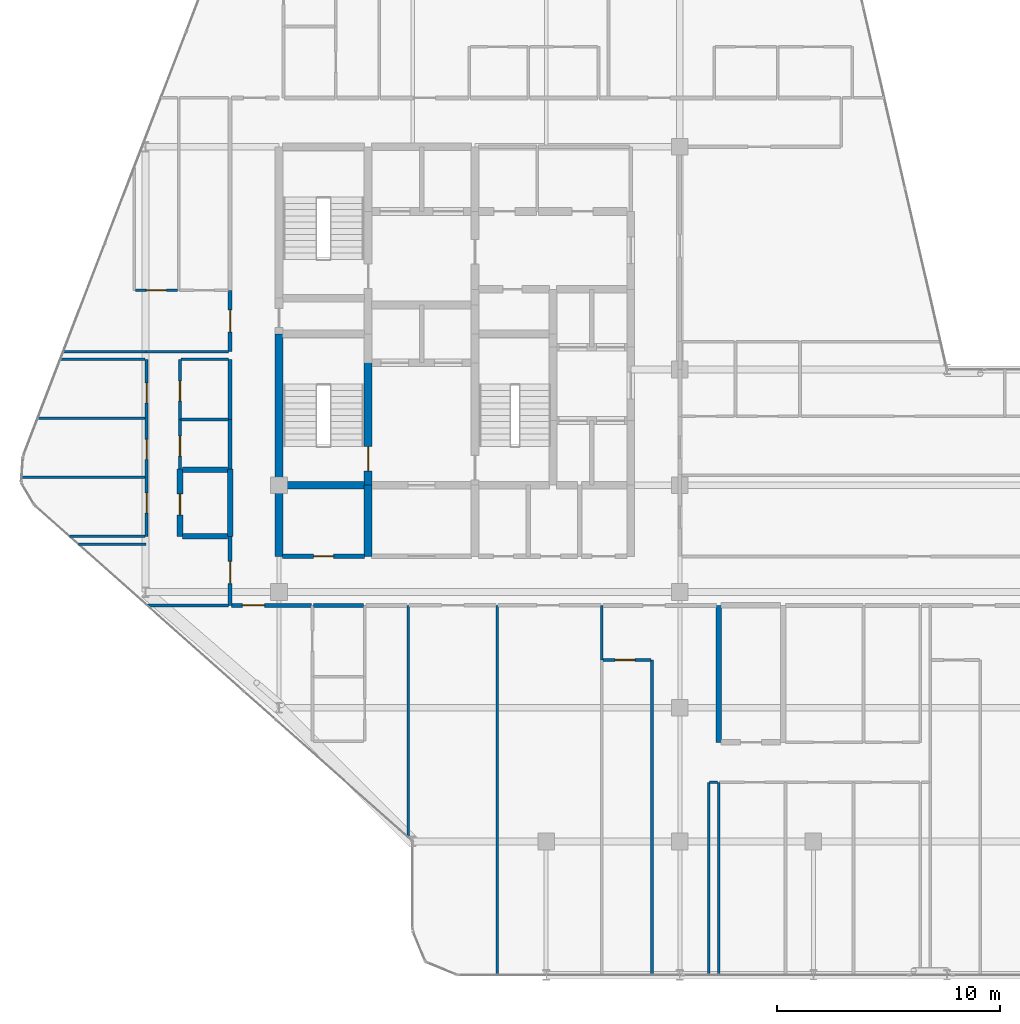
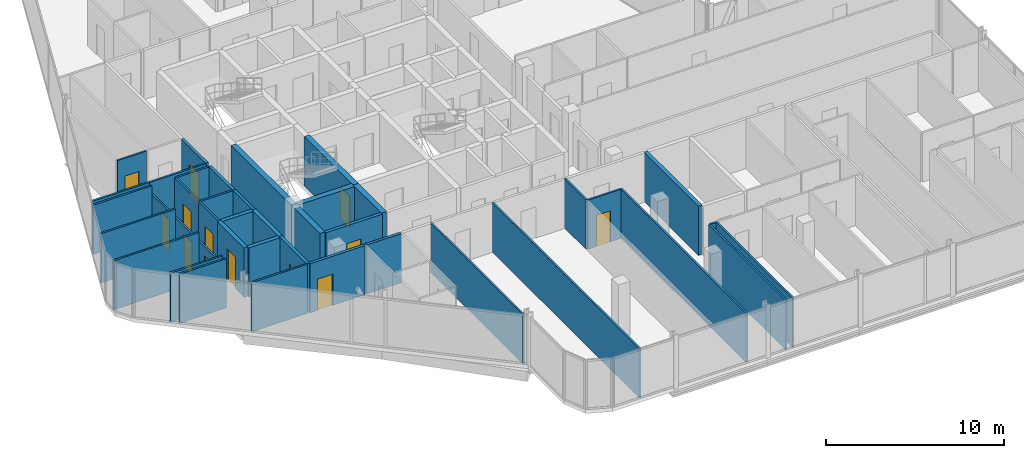
# One storey, part 23 of 29: 39 walls, 13 doors, 13 openings.
"""IFC4 building model written with IfcOpenShell, lengths in metres."""

from ifc_helpers import new_model, si_unit, direction, frame, frame_2d, origin, place, context, subcontext, project, spatial, rectangle, extrude, material, layer, layer_set, type_object, element, fill, save


model = new_model("IFC4")

# Units and contexts
model_context = context("Model", 3, precision=1e-05, world=origin(), true_north=direction((0.0, 1.0)))
body_context = subcontext(model_context, "Body", "Model", "MODEL_VIEW")
ifc_project = project(units=[si_unit("LENGTHUNIT", "METRE"), si_unit("AREAUNIT", "SQUARE_METRE"), si_unit("VOLUMEUNIT", "CUBIC_METRE"), si_unit("PLANEANGLEUNIT", "RADIAN"), si_unit("MASSUNIT", "GRAM", prefix="KILO")], contexts=[model_context])

# Site, building, storey
site_placement = place(None, origin())
site = spatial("IfcSite", under=ifc_project, at=site_placement, CompositionType="ELEMENT")
building_placement = place(site_placement, origin())
building = spatial("IfcBuilding", under=site, at=building_placement, Name="Keshet Zoharim Tower", CompositionType="ELEMENT")
storey_placement = place(building_placement, frame((0.0, 0.0, 214.300048828125)))
storey = spatial("IfcBuildingStorey", under=building, at=storey_placement, Name="L53", CompositionType="ELEMENT", Elevation=214.300048828125)

# Walls
ifc_material_1 = material(Name="Concrete C60/75", Category="concrete")
ifc_layer_1 = layer(ifc_material_1, 0.35009765625)
ifc_layer_set_1 = layer_set([ifc_layer_1], Name="Concrete C60/75")
wall_type_1 = type_object("IfcWallType", Name="WL-CORE-350", PredefinedType="SHEAR", material=ifc_layer_set_1)
wall_1_placement = place(storey_placement, frame((15.0, 19.5, 0.0), z_axis=(0.0, 0.0, 1.0), x_axis=(0.0, 1.0, 0.0)))
element("IfcWall", 1, at=wall_1_placement, inside=storey, type_object=wall_type_1, Name="L53 Core Shear Wall 013", PredefinedType="SHEAR", context=body_context, shape_type="SweptSolid", body=[
    extrude(rectangle(XDim=3.199951171875, YDim=0.35009765625, at=frame_2d((1.60009765625, 0.0))), origin(), (0.0, 0.0, 1.0), 3.3798828125),
])
wall_2_placement = place(storey_placement, frame((15.0, 22.699951171875, 0.0), z_axis=(0.0, 0.0, 1.0), x_axis=(0.0, 1.0, 0.0)))
element("IfcWall", 2, at=wall_2_placement, inside=storey, type_object=wall_type_1, Name="L53 Core Shear Wall 014", PredefinedType="SHEAR", context=body_context, shape_type="SweptSolid", body=[
    extrude(rectangle(XDim=6.800048828125, YDim=0.35009765625, at=frame_2d((3.39990234375, 0.0))), origin(), (0.0, 0.0, 1.0), 3.3798828125),
])
wall_3_placement = place(storey_placement, frame((19.0, 19.5, 0.0), z_axis=(0.0, 0.0, 1.0), x_axis=(0.0, 1.0, 0.0)))
element("IfcWall", 3, at=wall_3_placement, inside=storey, type_object=wall_type_1, Name="L53 Core Shear Wall 025", PredefinedType="SHEAR", context=body_context, shape_type="SweptSolid", body=[
    extrude(rectangle(XDim=3.199951171875, YDim=0.35009765625, at=frame_2d((1.60009765625, 0.0))), origin(), (0.0, 0.0, 1.0), 3.3798828125),
])

# Wall, opening, door
wall_4_placement = place(storey_placement, frame((19.0, 22.699951171875, 0.0), z_axis=(0.0, 0.0, 1.0), x_axis=(0.0, 1.0, 0.0)))
wall_4 = element("IfcWall", 4, at=wall_4_placement, inside=storey, type_object=wall_type_1, Name="L53 Core Shear Wall 026", PredefinedType="SHEAR", context=body_context, shape_type="SweptSolid", body=[
    extrude(rectangle(XDim=5.5, YDim=0.35009765625, at=frame_2d((2.75, 0.0))), origin(), (0.0, 0.0, 1.0), 3.3798828125),
])
opening_1_placement = place(wall_4_placement, frame((0.631103515625, 0.0, 0.0)))
opening_1 = element("IfcOpeningElement", 5, at=opening_1_placement, cuts=wall_4, Name="Opening D-F611", PredefinedType="OPENING", context=body_context, shape_type="SweptSolid", body=[
    extrude(rectangle(XDim=1.10009765625, YDim=2.14990234375, at=frame_2d((0.550048828125, 1.074951171875))), frame((0.0, 0.18505859375, 0.0), z_axis=(0.0, -1.0, 0.0), x_axis=(1.0, 0.0, 0.0)), (0.0, 0.0, 1.0), 0.3701171875),
])
ifc_material_2 = material(Name="Hardwood Timber", Category="wood")
door_type_1 = type_object("IfcDoorType", Name="DR-FD60-110", OperationType="NOTDEFINED", PredefinedType="DOOR", material=ifc_material_2)
door_1_placement = place(opening_1_placement, origin())
door_1 = element("IfcDoor", 6, at=door_1_placement, inside=storey, type_object=door_type_1, Name="L53 Exit Stair ST-01 Fire Door", OperationType="SINGLE_SWING_LEFT", OverallHeight=2.14990234375, OverallWidth=1.10009765625, PredefinedType="DOOR", context=body_context, shape_type="SweptSolid", body=[
    extrude(rectangle(XDim=1.10009765625, YDim=2.14990234375, at=frame_2d((0.550048828125, 1.074951171875))), frame((0.0, 0.02490234375, 0.0), z_axis=(0.0, -1.0, 0.0), x_axis=(1.0, 0.0, 0.0)), (0.0, 0.0, 1.0), 0.050048828125),
])
fill(opening_1, door_1)

# Wall
wall_5_placement = place(storey_placement, frame((15.159912109375, 22.699951171875, 0.0), z_axis=(0.0, 0.0, 1.0), x_axis=(1.0, 0.0, 0.0)))
element("IfcWall", 7, at=wall_5_placement, inside=storey, type_object=wall_type_1, Name="L53 Core Shear Wall 140", PredefinedType="SHEAR", context=body_context, shape_type="SweptSolid", body=[
    extrude(rectangle(XDim=3.68017578125, YDim=0.35009765625, at=frame_2d((1.840087890625, 0.0))), origin(), (0.0, 0.0, 1.0), 3.3798828125),
])

# Wall, opening, door
ifc_material_3 = material(Name="Gypsum Plasterboard", Category="gypsum")
ifc_layer_2 = layer(ifc_material_3, 0.179931640625)
ifc_layer_set_2 = layer_set([ifc_layer_2], Name="Gypsum Plasterboard")
wall_type_2 = type_object("IfcWallType", Name="WL-CORR-180", PredefinedType="STANDARD", material=ifc_layer_set_2)
wall_6_placement = place(storey_placement, frame((12.800048828125, 17.300048828125, 0.0), z_axis=(0.0, 0.0, 1.0), x_axis=(0.0, 1.0, 0.0)))
wall_6 = element("IfcWall", 8, at=wall_6_placement, inside=storey, type_object=wall_type_2, Name="L53 Interior Wall 007", PredefinedType="STANDARD", context=body_context, shape_type="SweptSolid", body=[
    extrude(rectangle(XDim=3.099853515625, YDim=0.179931640625, at=frame_2d((1.5498046875, 0.0))), origin(), (0.0, 0.0, 1.0), 3.3798828125),
])
opening_2_placement = place(wall_6_placement, frame((0.97802734375, 0.0, 0.0)))
opening_2 = element("IfcOpeningElement", 9, at=opening_2_placement, cuts=wall_6, Name="Opening D-F310", PredefinedType="OPENING", context=body_context, shape_type="SweptSolid", body=[
    extrude(rectangle(XDim=1.0, YDim=2.14990234375, at=frame_2d((0.5, 1.074951171875))), frame((0.0, 0.10009765625, 0.0), z_axis=(0.0, -1.0, 0.0), x_axis=(1.0, 0.0, 0.0)), (0.0, 0.0, 1.0), 0.199951171875),
])
door_type_2 = type_object("IfcDoorType", Name="DR-FD30-100", OperationType="NOTDEFINED", PredefinedType="DOOR", material=ifc_material_2)
door_2_placement = place(opening_2_placement, origin())
door_2 = element("IfcDoor", 10, at=door_2_placement, inside=storey, type_object=door_type_2, Name="Apartment 5307 Entrance Door", OperationType="SINGLE_SWING_RIGHT", OverallHeight=2.14990234375, OverallWidth=1.0, PredefinedType="DOOR", context=body_context, shape_type="SweptSolid", body=[
    extrude(rectangle(XDim=1.0, YDim=2.14990234375, at=frame_2d((0.5, 1.074951171875))), frame((0.0, 0.02490234375, 0.0), z_axis=(0.0, -1.0, 0.0), x_axis=(1.0, 0.0, 0.0)), (0.0, 0.0, 1.0), 0.050048828125),
])
fill(opening_2, door_2)

# Walls
wall_7_placement = place(storey_placement, frame((12.800048828125, 23.4208984375, 0.0), z_axis=(0.0, 0.0, 1.0), x_axis=(0.0, 1.0, 0.0)))
element("IfcWall", 11, at=wall_7_placement, inside=storey, type_object=wall_type_2, Name="L53 Interior Wall 009", PredefinedType="STANDARD", context=body_context, shape_type="SweptSolid", body=[
    extrude(rectangle(XDim=2.22607421875, YDim=0.179931640625, at=frame_2d((1.113037109375, 0.0))), origin(), (0.0, 0.0, 1.0), 3.3798828125),
])
wall_8_placement = place(storey_placement, frame((12.800048828125, 25.64697265625, 0.0), z_axis=(0.0, 0.0, 1.0), x_axis=(0.0, 1.0, 0.0)))
element("IfcWall", 12, at=wall_8_placement, inside=storey, type_object=wall_type_2, Name="L53 Interior Wall 010", PredefinedType="STANDARD", context=body_context, shape_type="SweptSolid", body=[
    extrude(rectangle(XDim=2.703125, YDim=0.179931640625, at=frame_2d((1.3515625, 0.0))), origin(), (0.0, 0.0, 1.0), 3.3798828125),
])

# Wall, opening, door
wall_9_placement = place(storey_placement, frame((12.800048828125, 28.699951171875, 0.0), z_axis=(0.0, 0.0, 1.0), x_axis=(0.0, 1.0, 0.0)))
wall_9 = element("IfcWall", 13, at=wall_9_placement, inside=storey, type_object=wall_type_2, Name="L53 Interior Wall 011", PredefinedType="STANDARD", context=body_context, shape_type="SweptSolid", body=[
    extrude(rectangle(XDim=2.75, YDim=0.179931640625, at=frame_2d((1.375, 0.0))), origin(), (0.0, 0.0, 1.0), 3.3798828125),
])
opening_3_placement = place(wall_9_placement, frame((0.875, 0.0, 0.0)))
opening_3 = element("IfcOpeningElement", 14, at=opening_3_placement, cuts=wall_9, Name="Opening D-F310", PredefinedType="OPENING", context=body_context, shape_type="SweptSolid", body=[
    extrude(rectangle(XDim=1.0, YDim=2.14990234375, at=frame_2d((0.5, 1.074951171875))), frame((0.0, 0.10009765625, 0.0), z_axis=(0.0, -1.0, 0.0), x_axis=(1.0, 0.0, 0.0)), (0.0, 0.0, 1.0), 0.199951171875),
])
door_3_placement = place(opening_3_placement, origin())
door_3 = element("IfcDoor", 15, at=door_3_placement, inside=storey, type_object=door_type_2, Name="Apartment 5308 Entrance Door", OperationType="SINGLE_SWING_LEFT", OverallHeight=2.14990234375, OverallWidth=1.0, PredefinedType="DOOR", context=body_context, shape_type="SweptSolid", body=[
    extrude(rectangle(XDim=1.0, YDim=2.14990234375, at=frame_2d((0.5, 1.074951171875))), frame((0.0, 0.02490234375, 0.0), z_axis=(0.0, -1.0, 0.0), x_axis=(1.0, 0.0, 0.0)), (0.0, 0.0, 1.0), 0.050048828125),
])
fill(opening_3, door_3)

wall_10_placement = place(storey_placement, frame((12.875, 17.300048828125, 0.0), z_axis=(0.0, 0.0, 1.0), x_axis=(1.0, 0.0, 0.0)))
wall_10 = element("IfcWall", 16, at=wall_10_placement, inside=storey, type_object=wall_type_2, Name="L53 Interior Wall 118", PredefinedType="STANDARD", context=body_context, shape_type="SweptSolid", body=[
    extrude(rectangle(XDim=3.580078125, YDim=0.179931640625, at=frame_2d((1.7900390625, 0.0))), origin(), (0.0, 0.0, 1.0), 3.3798828125),
])
opening_4_placement = place(wall_10_placement, frame((0.472900390625, 0.0, 0.0)))
opening_4 = element("IfcOpeningElement", 17, at=opening_4_placement, cuts=wall_10, Name="Opening D-F310", PredefinedType="OPENING", context=body_context, shape_type="SweptSolid", body=[
    extrude(rectangle(XDim=1.0, YDim=2.14990234375, at=frame_2d((0.5, 1.074951171875))), frame((0.0, 0.10009765625, 0.0), z_axis=(0.0, -1.0, 0.0), x_axis=(1.0, 0.0, 0.0)), (0.0, 0.0, 1.0), 0.199951171875),
])
door_4_placement = place(opening_4_placement, origin())
door_4 = element("IfcDoor", 18, at=door_4_placement, inside=storey, type_object=door_type_2, Name="Apartment 5301 Entrance Door", OperationType="SINGLE_SWING_LEFT", OverallHeight=2.14990234375, OverallWidth=1.0, PredefinedType="DOOR", context=body_context, shape_type="SweptSolid", body=[
    extrude(rectangle(XDim=1.0, YDim=2.14990234375, at=frame_2d((0.5, 1.074951171875))), frame((0.0, 0.02490234375, 0.0), z_axis=(0.0, -1.0, 0.0), x_axis=(1.0, 0.0, 0.0)), (0.0, 0.0, 1.0), 0.050048828125),
])
fill(opening_4, door_4)

# Wall
wall_11_placement = place(storey_placement, frame((16.544921875, 17.300048828125, 0.0), z_axis=(0.0, 0.0, 1.0), x_axis=(1.0, 0.0, 0.0)))
element("IfcWall", 19, at=wall_11_placement, inside=storey, type_object=wall_type_2, Name="L53 Interior Wall 119", PredefinedType="STANDARD", context=body_context, shape_type="SweptSolid", body=[
    extrude(rectangle(XDim=2.260009765625, YDim=0.179931640625, at=frame_2d((1.1298828125, 0.0))), origin(), (0.0, 0.0, 1.0), 3.3798828125),
])

# Wall, opening, door
ifc_material_4 = material(Name="Concrete C50/60", Category="concrete")
ifc_layer_3 = layer(ifc_material_4, 0.199951171875)
ifc_layer_set_3 = layer_set([ifc_layer_3], Name="Concrete C50/60")
wall_type_3 = type_object("IfcWallType", Name="WL-FIRE-200", PredefinedType="STANDARD", material=ifc_layer_set_3)
wall_12_placement = place(storey_placement, frame((15.159912109375, 19.5, 0.0), z_axis=(0.0, 0.0, 1.0), x_axis=(1.0, 0.0, 0.0)))
wall_12 = element("IfcWall", 20, at=wall_12_placement, inside=storey, type_object=wall_type_3, Name="L53 Interior Wall 132", PredefinedType="STANDARD", context=body_context, shape_type="SweptSolid", body=[
    extrude(rectangle(XDim=3.68017578125, YDim=0.199951171875, at=frame_2d((1.840087890625, 0.0))), origin(), (0.0, 0.0, 1.0), 3.3798828125),
])
opening_5_placement = place(wall_12_placement, frame((1.389892578125, 0.0, 0.0)))
opening_5 = element("IfcOpeningElement", 21, at=opening_5_placement, cuts=wall_12, Name="Opening D-F690", PredefinedType="OPENING", context=body_context, shape_type="SweptSolid", body=[
    extrude(rectangle(XDim=0.89990234375, YDim=2.14990234375, at=frame_2d((0.449951171875, 1.074951171875))), frame((0.0, 0.10986328125, 0.0), z_axis=(0.0, -1.0, 0.0), x_axis=(1.0, 0.0, 0.0)), (0.0, 0.0, 1.0), 0.219970703125),
])
door_type_3 = type_object("IfcDoorType", Name="DR-FD60-090", OperationType="NOTDEFINED", PredefinedType="DOOR", material=ifc_material_2)
door_5_placement = place(opening_5_placement, origin())
door_5 = element("IfcDoor", 22, at=door_5_placement, inside=storey, type_object=door_type_3, Name="L53 Pram Store Door", OperationType="SINGLE_SWING_RIGHT", OverallHeight=2.14990234375, OverallWidth=0.89990234375, PredefinedType="DOOR", context=body_context, shape_type="SweptSolid", body=[
    extrude(rectangle(XDim=0.89990234375, YDim=2.14990234375, at=frame_2d((0.449951171875, 1.074951171875))), frame((0.0, 0.02490234375, 0.0), z_axis=(0.0, -1.0, 0.0), x_axis=(1.0, 0.0, 0.0)), (0.0, 0.0, 1.0), 0.050048828125),
])
fill(opening_5, door_5)

ifc_layer_4 = layer(ifc_material_4, 0.25)
ifc_layer_set_4 = layer_set([ifc_layer_4], Name="Concrete C50/60")
wall_type_4 = type_object("IfcWallType", Name="WL-MAMAD-250", PredefinedType="STANDARD", material=ifc_layer_set_4)
wall_13_placement = place(storey_placement, frame((10.550048828125, 20.39990234375, 0.0), z_axis=(0.0, 0.0, 1.0), x_axis=(0.0, 1.0, 0.0)))
wall_13 = element("IfcWall", 23, at=wall_13_placement, inside=storey, type_object=wall_type_4, Name="L53 Interior Wall 004", PredefinedType="STANDARD", context=body_context, shape_type="SweptSolid", body=[
    extrude(rectangle(XDim=3.02099609375, YDim=0.25, at=frame_2d((1.510498046875, 0.0))), origin(), (0.0, 0.0, 1.0), 3.3798828125),
])
opening_6_placement = place(wall_13_placement, frame((0.964111328125, 0.0, 0.0)))
opening_6 = element("IfcOpeningElement", 24, at=opening_6_placement, cuts=wall_13, Name="Opening D-F695", PredefinedType="OPENING", context=body_context, shape_type="SweptSolid", body=[
    extrude(rectangle(XDim=0.949951171875, YDim=2.14990234375, at=frame_2d((0.47509765625, 1.074951171875))), frame((0.0, 0.135009765625, 0.0), z_axis=(0.0, -1.0, 0.0), x_axis=(1.0, 0.0, 0.0)), (0.0, 0.0, 1.0), 0.27001953125),
])
door_type_4 = type_object("IfcDoorType", Name="DR-FD60-095", OperationType="NOTDEFINED", PredefinedType="DOOR", material=ifc_material_2)
door_6_placement = place(opening_6_placement, origin())
door_6 = element("IfcDoor", 25, at=door_6_placement, inside=storey, type_object=door_type_4, Name="Apartment 5307 Study and Shelter Room Door", OperationType="SINGLE_SWING_LEFT", OverallHeight=2.14990234375, OverallWidth=0.949951171875, PredefinedType="DOOR", context=body_context, shape_type="SweptSolid", body=[
    extrude(rectangle(XDim=0.949951171875, YDim=2.14990234375, at=frame_2d((0.47509765625, 1.074951171875))), frame((0.0, 0.02490234375, 0.0), z_axis=(0.0, -1.0, 0.0), x_axis=(1.0, 0.0, 0.0)), (0.0, 0.0, 1.0), 0.050048828125),
])
fill(opening_6, door_6)

# Walls
wall_14_placement = place(storey_placement, frame((12.800048828125, 20.39990234375, 0.0), z_axis=(0.0, 0.0, 1.0), x_axis=(0.0, 1.0, 0.0)))
element("IfcWall", 26, at=wall_14_placement, inside=storey, type_object=wall_type_4, Name="L53 Interior Wall 008", PredefinedType="STANDARD", context=body_context, shape_type="SweptSolid", body=[
    extrude(rectangle(XDim=3.02099609375, YDim=0.25, at=frame_2d((1.510498046875, 0.0))), origin(), (0.0, 0.0, 1.0), 3.3798828125),
])
wall_15_placement = place(storey_placement, frame((34.75, 11.14990234375, 0.0), z_axis=(0.0, 0.0, 1.0), x_axis=(0.0, 1.0, 0.0)))
element("IfcWall", 27, at=wall_15_placement, inside=storey, type_object=wall_type_4, Name="L53 Interior Wall 077", PredefinedType="STANDARD", context=body_context, shape_type="SweptSolid", body=[
    extrude(rectangle(XDim=6.150146484375, YDim=0.25, at=frame_2d((3.0751953125, 0.0))), origin(), (0.0, 0.0, 1.0), 3.3798828125),
])
for number, where, z_axis, x_axis, name in (
    (28, (10.659912109375, 20.39990234375, 0.0), (0.0, 0.0, 1.0), (1.0, 0.0, 0.0), "L53 Interior Wall 139"),
    (29, (10.659912109375, 23.39990234375, 0.0), (0.0, 0.0, 1.0), (1.0, 0.0, 0.0), "L53 Interior Wall 147"),
):
    element("IfcWall", number, at=place(storey_placement, frame(where, z_axis=z_axis, x_axis=x_axis)), inside=storey, type_object=wall_type_4, Name=name, PredefinedType="STANDARD", context=body_context, shape_type="SweptSolid", body=[
        extrude(rectangle(XDim=2.030029296875, YDim=0.25, at=frame_2d((1.01513671875, 0.0))), origin(), (0.0, 0.0, 1.0), 3.3798828125),
    ])

# Wall, openings, doors
ifc_layer_5 = layer(ifc_material_3, 0.1201171875)
ifc_layer_set_5 = layer_set([ifc_layer_5], Name="Gypsum Plasterboard")
wall_type_5 = type_object("IfcWallType", Name="WL-PART-120", PredefinedType="PARTITIONING", material=ifc_layer_set_5)
wall_16_placement = place(storey_placement, frame((9.050048828125, 20.39990234375, 0.0), z_axis=(0.0, 0.0, 1.0), x_axis=(0.0, 1.0, 0.0)))
wall_16 = element("IfcWall", 30, at=wall_16_placement, inside=storey, type_object=wall_type_5, Name="L53 Interior Wall 002", PredefinedType="PARTITIONING", context=body_context, shape_type="SweptSolid", body=[
    extrude(rectangle(XDim=7.9501953125, YDim=0.1201171875, at=frame_2d((3.97509765625, 0.0))), origin(), (0.0, 0.0, 1.0), 2.780029296875),
])
opening_7_placement = place(wall_16_placement, frame((1.050048828125, 0.0, 0.0)))
opening_7 = element("IfcOpeningElement", 31, at=opening_7_placement, cuts=wall_16, Name="Opening D-IN90", PredefinedType="OPENING", context=body_context, shape_type="SweptSolid", body=[
    extrude(rectangle(XDim=0.89990234375, YDim=2.14990234375, at=frame_2d((0.449951171875, 1.074951171875))), frame((0.0, 0.070068359375, 0.0), z_axis=(0.0, -1.0, 0.0), x_axis=(1.0, 0.0, 0.0)), (0.0, 0.0, 1.0), 0.14013671875),
])
opening_8_placement = place(wall_16_placement, frame((3.455078125, 0.0, 0.0)))
opening_8 = element("IfcOpeningElement", 32, at=opening_8_placement, cuts=wall_16, Name="Opening D-IN90", PredefinedType="OPENING", context=body_context, shape_type="SweptSolid", body=[
    extrude(rectangle(XDim=0.89990234375, YDim=2.14990234375, at=frame_2d((0.449951171875, 1.074951171875))), frame((0.0, 0.070068359375, 0.0), z_axis=(0.0, -1.0, 0.0), x_axis=(1.0, 0.0, 0.0)), (0.0, 0.0, 1.0), 0.14013671875),
])
opening_9_placement = place(wall_16_placement, frame((6.0, 0.0, 0.0)))
opening_9 = element("IfcOpeningElement", 33, at=opening_9_placement, cuts=wall_16, Name="Opening D-IN90", PredefinedType="OPENING", context=body_context, shape_type="SweptSolid", body=[
    extrude(rectangle(XDim=0.89990234375, YDim=2.14990234375, at=frame_2d((0.449951171875, 1.074951171875))), frame((0.0, 0.070068359375, 0.0), z_axis=(0.0, -1.0, 0.0), x_axis=(1.0, 0.0, 0.0)), (0.0, 0.0, 1.0), 0.14013671875),
])
door_type_5 = type_object("IfcDoorType", Name="DR-INT-090", OperationType="NOTDEFINED", PredefinedType="DOOR", material=ifc_material_2)
door_7_placement = place(opening_7_placement, origin())
door_7 = element("IfcDoor", 34, at=door_7_placement, inside=storey, type_object=door_type_5, Name="Apartment 5307 Bedroom 1 Door", OperationType="SINGLE_SWING_RIGHT", OverallHeight=2.14990234375, OverallWidth=0.89990234375, PredefinedType="DOOR", context=body_context, shape_type="SweptSolid", body=[
    extrude(rectangle(XDim=0.89990234375, YDim=2.14990234375, at=frame_2d((0.449951171875, 1.074951171875))), frame((0.0, 0.02490234375, 0.0), z_axis=(0.0, -1.0, 0.0), x_axis=(1.0, 0.0, 0.0)), (0.0, 0.0, 1.0), 0.050048828125),
])
fill(opening_7, door_7)
door_8_placement = place(opening_8_placement, origin())
door_8 = element("IfcDoor", 35, at=door_8_placement, inside=storey, type_object=door_type_5, Name="Apartment 5307 Bedroom 2 Door", OperationType="SINGLE_SWING_LEFT", OverallHeight=2.14990234375, OverallWidth=0.89990234375, PredefinedType="DOOR", context=body_context, shape_type="SweptSolid", body=[
    extrude(rectangle(XDim=0.89990234375, YDim=2.14990234375, at=frame_2d((0.449951171875, 1.074951171875))), frame((0.0, 0.02490234375, 0.0), z_axis=(0.0, -1.0, 0.0), x_axis=(1.0, 0.0, 0.0)), (0.0, 0.0, 1.0), 0.050048828125),
])
fill(opening_8, door_8)
door_9_placement = place(opening_9_placement, origin())
door_9 = element("IfcDoor", 36, at=door_9_placement, inside=storey, type_object=door_type_5, Name="Apartment 5307 Bedroom 3 Door", OperationType="SINGLE_SWING_RIGHT", OverallHeight=2.14990234375, OverallWidth=0.89990234375, PredefinedType="DOOR", context=body_context, shape_type="SweptSolid", body=[
    extrude(rectangle(XDim=0.89990234375, YDim=2.14990234375, at=frame_2d((0.449951171875, 1.074951171875))), frame((0.0, 0.02490234375, 0.0), z_axis=(0.0, -1.0, 0.0), x_axis=(1.0, 0.0, 0.0)), (0.0, 0.0, 1.0), 0.050048828125),
])
fill(opening_9, door_9)

# Wall, opening, door
wall_17_placement = place(storey_placement, frame((10.550048828125, 25.64697265625, 0.0), z_axis=(0.0, 0.0, 1.0), x_axis=(0.0, 1.0, 0.0)))
wall_17 = element("IfcWall", 37, at=wall_17_placement, inside=storey, type_object=wall_type_5, Name="L53 Interior Wall 006", PredefinedType="PARTITIONING", context=body_context, shape_type="SweptSolid", body=[
    extrude(rectangle(XDim=2.703125, YDim=0.1201171875, at=frame_2d((1.3515625, 0.0))), origin(), (0.0, 0.0, 1.0), 3.3798828125),
])
opening_10_placement = place(wall_17_placement, frame((0.830078125, 0.0, 0.0)))
opening_10 = element("IfcOpeningElement", 38, at=opening_10_placement, cuts=wall_17, Name="Opening D-IN90", PredefinedType="OPENING", context=body_context, shape_type="SweptSolid", body=[
    extrude(rectangle(XDim=0.89990234375, YDim=2.14990234375, at=frame_2d((0.449951171875, 1.074951171875))), frame((0.0, 0.070068359375, 0.0), z_axis=(0.0, -1.0, 0.0), x_axis=(1.0, 0.0, 0.0)), (0.0, 0.0, 1.0), 0.14013671875),
])
door_10_placement = place(opening_10_placement, origin())
door_10 = element("IfcDoor", 39, at=door_10_placement, inside=storey, type_object=door_type_5, Name="Apartment 5307 Kitchen Door", OperationType="SINGLE_SWING_LEFT", OverallHeight=2.14990234375, OverallWidth=0.89990234375, PredefinedType="DOOR", context=body_context, shape_type="SweptSolid", body=[
    extrude(rectangle(XDim=0.89990234375, YDim=2.14990234375, at=frame_2d((0.449951171875, 1.074951171875))), frame((0.0, 0.02490234375, 0.0), z_axis=(0.0, -1.0, 0.0), x_axis=(1.0, 0.0, 0.0)), (0.0, 0.0, 1.0), 0.050048828125),
])
fill(opening_10, door_10)

# Walls
wall_18_placement = place(storey_placement, frame((20.800048828125, 6.887939453125, 0.0), z_axis=(0.0, 0.0, 1.0), x_axis=(0.0, 1.0, 0.0)))
element("IfcWall", 40, at=wall_18_placement, inside=storey, type_object=wall_type_5, Name="L53 Interior Wall 031", PredefinedType="PARTITIONING", context=body_context, shape_type="SweptSolid", body=[
    extrude(rectangle(XDim=10.412109375, YDim=0.1201171875, at=frame_2d((5.2060546875, 0.0))), origin(), (0.0, 0.0, 1.0), 3.3798828125),
])
wall_19_placement = place(storey_placement, frame((24.800048828125, 0.7099609375, 0.0), z_axis=(0.0, 0.0, 1.0), x_axis=(0.0, 1.0, 0.0)))
element("IfcWall", 41, at=wall_19_placement, inside=storey, type_object=wall_type_5, Name="L53 Interior Wall 044", PredefinedType="PARTITIONING", context=body_context, shape_type="SweptSolid", body=[
    extrude(rectangle(XDim=16.590087890625, YDim=0.1201171875, at=frame_2d((8.294921875, 0.0))), origin(), (0.0, 0.0, 1.0), 3.3798828125),
])
wall_20_placement = place(storey_placement, frame((29.5, 14.85009765625, 0.0), z_axis=(0.0, 0.0, 1.0), x_axis=(0.0, 1.0, 0.0)))
element("IfcWall", 42, at=wall_20_placement, inside=storey, type_object=wall_type_5, Name="L53 Interior Wall 059", PredefinedType="PARTITIONING", context=body_context, shape_type="SweptSolid", body=[
    extrude(rectangle(XDim=2.449951171875, YDim=0.1201171875, at=frame_2d((1.22509765625, 0.0))), origin(), (0.0, 0.0, 1.0), 3.3798828125),
])
wall_21_placement = place(storey_placement, frame((31.75, 0.7099609375, 0.0), z_axis=(0.0, 0.0, 1.0), x_axis=(0.0, 1.0, 0.0)))
element("IfcWall", 43, at=wall_21_placement, inside=storey, type_object=wall_type_5, Name="L53 Interior Wall 067", PredefinedType="PARTITIONING", context=body_context, shape_type="SweptSolid", body=[
    extrude(rectangle(XDim=14.14013671875, YDim=0.1201171875, at=frame_2d((7.070068359375, 0.0))), origin(), (0.0, 0.0, 1.0), 3.3798828125),
])
for number, where, z_axis, x_axis, name in (
    (44, (34.300048828125, 0.7099609375, 0.0), (0.0, 0.0, 1.0), (0.0, 1.0, 0.0), "L53 Interior Wall 073"),
    (45, (34.75, 0.7099609375, 0.0), (0.0, 0.0, 1.0), (0.0, 1.0, 0.0), "L53 Interior Wall 076"),
):
    element("IfcWall", number, at=place(storey_placement, frame(where, z_axis=z_axis, x_axis=x_axis)), inside=storey, type_object=wall_type_5, Name=name, PredefinedType="PARTITIONING", context=body_context, shape_type="SweptSolid", body=[
        extrude(rectangle(XDim=8.64013671875, YDim=0.1201171875, at=frame_2d((4.320068359375, 0.0))), origin(), (0.0, 0.0, 1.0), 3.3798828125),
    ])
wall_22_placement = place(storey_placement, frame((34.344970703125, 9.35009765625, 0.0), z_axis=(0.0, 0.0, 1.0), x_axis=(1.0, 0.0, 0.0)))
element("IfcWall", 46, at=wall_22_placement, inside=storey, type_object=wall_type_5, Name="L53 Interior Wall 103", PredefinedType="PARTITIONING", context=body_context, shape_type="SweptSolid", body=[
    extrude(rectangle(XDim=0.360107421875, YDim=0.1201171875, at=frame_2d((0.18017578125, 0.0))), origin(), (0.0, 0.0, 1.0), 3.3798828125),
])

# Wall, opening, door
wall_23_placement = place(storey_placement, frame((29.544921875, 14.85009765625, 0.0), z_axis=(0.0, 0.0, 1.0), x_axis=(1.0, 0.0, 0.0)))
wall_23 = element("IfcWall", 47, at=wall_23_placement, inside=storey, type_object=wall_type_5, Name="L53 Interior Wall 115", PredefinedType="PARTITIONING", context=body_context, shape_type="SweptSolid", body=[
    extrude(rectangle(XDim=2.16015625, YDim=0.1201171875, at=frame_2d((1.080078125, 0.0))), origin(), (0.0, 0.0, 1.0), 3.3798828125),
])
opening_11_placement = place(wall_23_placement, frame((0.552978515625, 0.0, 0.0)))
opening_11 = element("IfcOpeningElement", 48, at=opening_11_placement, cuts=wall_23, Name="Opening D-IN90", PredefinedType="OPENING", context=body_context, shape_type="SweptSolid", body=[
    extrude(rectangle(XDim=0.89990234375, YDim=2.14990234375, at=frame_2d((0.449951171875, 1.074951171875))), frame((0.0, 0.070068359375, 0.0), z_axis=(0.0, -1.0, 0.0), x_axis=(1.0, 0.0, 0.0)), (0.0, 0.0, 1.0), 0.14013671875),
])
door_11_placement = place(opening_11_placement, origin())
door_11 = element("IfcDoor", 49, at=door_11_placement, inside=storey, type_object=door_type_5, Name="Apartment 5302 Formal Dining Room Door", OperationType="SINGLE_SWING_LEFT", OverallHeight=2.14990234375, OverallWidth=0.89990234375, PredefinedType="DOOR", context=body_context, shape_type="SweptSolid", body=[
    extrude(rectangle(XDim=0.89990234375, YDim=2.14990234375, at=frame_2d((0.449951171875, 1.074951171875))), frame((0.0, 0.02490234375, 0.0), z_axis=(0.0, -1.0, 0.0), x_axis=(1.0, 0.0, 0.0)), (0.0, 0.0, 1.0), 0.050048828125),
])
fill(opening_11, door_11)

# Walls
wall_24_placement = place(storey_placement, frame((9.0849609375, 17.300048828125, 0.0), z_axis=(0.0, 0.0, 1.0), x_axis=(1.0, 0.0, 0.0)))
element("IfcWall", 50, at=wall_24_placement, inside=storey, type_object=wall_type_5, Name="L53 Interior Wall 117", PredefinedType="PARTITIONING", context=body_context, shape_type="SweptSolid", body=[
    extrude(rectangle(XDim=3.64013671875, YDim=0.1201171875, at=frame_2d((1.820068359375, 0.0))), origin(), (0.0, 0.0, 1.0), 3.3798828125),
])
wall_25_placement = place(storey_placement, frame((5.990966796875, 20.050048828125, 0.0), z_axis=(0.0, 0.0, 1.0), x_axis=(1.0, 0.0, 0.0)))
element("IfcWall", 51, at=wall_25_placement, inside=storey, type_object=wall_type_5, Name="L53 Interior Wall 137", PredefinedType="PARTITIONING", context=body_context, shape_type="SweptSolid", body=[
    extrude(rectangle(XDim=3.0390625, YDim=0.1201171875, at=frame_2d((1.51953125, 0.0))), origin(), (0.0, 0.0, 1.0), 3.3798828125),
])
wall_26_placement = place(storey_placement, frame((5.596923828125, 20.39990234375, 0.0), z_axis=(0.0, 0.0, 1.0), x_axis=(1.0, 0.0, 0.0)))
element("IfcWall", 52, at=wall_26_placement, inside=storey, type_object=wall_type_5, Name="L53 Interior Wall 138", PredefinedType="PARTITIONING", context=body_context, shape_type="SweptSolid", body=[
    extrude(rectangle(XDim=3.38818359375, YDim=0.1201171875, at=frame_2d((1.694091796875, 0.0))), origin(), (0.0, 0.0, 1.0), 3.3798828125),
])
wall_27_placement = place(storey_placement, frame((3.446044921875, 23.050048828125, 0.0), z_axis=(0.0, 0.0, 1.0), x_axis=(1.0, 0.0, 0.0)))
element("IfcWall", 53, at=wall_27_placement, inside=storey, type_object=wall_type_5, Name="L53 Interior Wall 145", PredefinedType="PARTITIONING", context=body_context, shape_type="SweptSolid", body=[
    extrude(rectangle(XDim=5.5390625, YDim=0.1201171875, at=frame_2d((2.76953125, 0.0))), origin(), (0.0, 0.0, 1.0), 3.3798828125),
])
wall_28_placement = place(storey_placement, frame((4.1640625, 25.699951171875, 0.0), z_axis=(0.0, 0.0, 1.0), x_axis=(1.0, 0.0, 0.0)))
element("IfcWall", 54, at=wall_28_placement, inside=storey, type_object=wall_type_5, Name="L53 Interior Wall 150", PredefinedType="PARTITIONING", context=body_context, shape_type="SweptSolid", body=[
    extrude(rectangle(XDim=4.821044921875, YDim=0.1201171875, at=frame_2d((2.41064453125, 0.0))), origin(), (0.0, 0.0, 1.0), 3.3798828125),
])
wall_29_placement = place(storey_placement, frame((5.18310546875, 28.35009765625, 0.0), z_axis=(0.0, 0.0, 1.0), x_axis=(1.0, 0.0, 0.0)))
element("IfcWall", 55, at=wall_29_placement, inside=storey, type_object=wall_type_5, Name="L53 Interior Wall 155", PredefinedType="PARTITIONING", context=body_context, shape_type="SweptSolid", body=[
    extrude(rectangle(XDim=3.802001953125, YDim=0.1201171875, at=frame_2d((1.90087890625, 0.0))), origin(), (0.0, 0.0, 1.0), 3.3798828125),
])
wall_30_placement = place(storey_placement, frame((10.594970703125, 28.35009765625, 0.0), z_axis=(0.0, 0.0, 1.0), x_axis=(1.0, 0.0, 0.0)))
element("IfcWall", 56, at=wall_30_placement, inside=storey, type_object=wall_type_5, Name="L53 Interior Wall 156", PredefinedType="PARTITIONING", context=body_context, shape_type="SweptSolid", body=[
    extrude(rectangle(XDim=2.130126953125, YDim=0.1201171875, at=frame_2d((1.06494140625, 0.0))), origin(), (0.0, 0.0, 1.0), 3.3798828125),
])
wall_31_placement = place(storey_placement, frame((5.31689453125, 28.699951171875, 0.0), z_axis=(0.0, 0.0, 1.0), x_axis=(1.0, 0.0, 0.0)))
element("IfcWall", 57, at=wall_31_placement, inside=storey, type_object=wall_type_5, Name="L53 Interior Wall 157", PredefinedType="PARTITIONING", context=body_context, shape_type="SweptSolid", body=[
    extrude(rectangle(XDim=3.713134765625, YDim=0.1201171875, at=frame_2d((1.8564453125, 0.0))), origin(), (0.0, 0.0, 1.0), 3.3798828125),
])
wall_32_placement = place(storey_placement, frame((9.030029296875, 28.699951171875, 0.0), z_axis=(0.0, 0.0, 1.0), x_axis=(1.0, 0.0, 0.0)))
element("IfcWall", 58, at=wall_32_placement, inside=storey, type_object=wall_type_5, Name="L53 Interior Wall 158", PredefinedType="PARTITIONING", context=body_context, shape_type="SweptSolid", body=[
    extrude(rectangle(XDim=3.695068359375, YDim=0.1201171875, at=frame_2d((1.84765625, 0.0))), origin(), (0.0, 0.0, 1.0), 3.3798828125),
])

# Wall, opening, door
wall_33_placement = place(storey_placement, frame((8.544921875, 31.449951171875, 0.0), z_axis=(0.0, 0.0, 1.0), x_axis=(1.0, 0.0, 0.0)))
wall_33 = element("IfcWall", 59, at=wall_33_placement, inside=storey, type_object=wall_type_5, Name="L53 Interior Wall 167", PredefinedType="PARTITIONING", context=body_context, shape_type="SweptSolid", body=[
    extrude(rectangle(XDim=1.88818359375, YDim=0.1201171875, at=frame_2d((0.944091796875, 0.0))), origin(), (0.0, 0.0, 1.0), 3.3798828125),
])
opening_12_placement = place(wall_33_placement, frame((0.493896484375, 0.0, 0.0)))
opening_12 = element("IfcOpeningElement", 60, at=opening_12_placement, cuts=wall_33, Name="Opening D-IN90", PredefinedType="OPENING", context=body_context, shape_type="SweptSolid", body=[
    extrude(rectangle(XDim=0.89990234375, YDim=2.14990234375, at=frame_2d((0.449951171875, 1.074951171875))), frame((0.0, 0.070068359375, 0.0), z_axis=(0.0, -1.0, 0.0), x_axis=(1.0, 0.0, 0.0)), (0.0, 0.0, 1.0), 0.14013671875),
])
door_12_placement = place(opening_12_placement, origin())
door_12 = element("IfcDoor", 61, at=door_12_placement, inside=storey, type_object=door_type_5, Name="Apartment 5308 Kitchen Door", OperationType="SINGLE_SWING_LEFT", OverallHeight=2.14990234375, OverallWidth=0.89990234375, PredefinedType="DOOR", context=body_context, shape_type="SweptSolid", body=[
    extrude(rectangle(XDim=0.89990234375, YDim=2.14990234375, at=frame_2d((0.449951171875, 1.074951171875))), frame((0.0, 0.02490234375, 0.0), z_axis=(0.0, -1.0, 0.0), x_axis=(1.0, 0.0, 0.0)), (0.0, 0.0, 1.0), 0.050048828125),
])
fill(opening_12, door_12)

ifc_layer_6 = layer(ifc_material_3, 0.1201171875)
ifc_layer_set_6 = layer_set([ifc_layer_6], Name="Gypsum Plasterboard")
wall_type_6 = type_object("IfcWallType", Name="WL-WET-120", PredefinedType="PARTITIONING", material=ifc_layer_set_6)
wall_34_placement = place(storey_placement, frame((10.550048828125, 23.4208984375, 0.0), z_axis=(0.0, 0.0, 1.0), x_axis=(0.0, 1.0, 0.0)))
wall_34 = element("IfcWall", 62, at=wall_34_placement, inside=storey, type_object=wall_type_6, Name="L53 Interior Wall 005", PredefinedType="PARTITIONING", context=body_context, shape_type="SweptSolid", body=[
    extrude(rectangle(XDim=2.22607421875, YDim=0.1201171875, at=frame_2d((1.113037109375, 0.0))), origin(), (0.0, 0.0, 1.0), 3.3798828125),
])
opening_13_placement = place(wall_34_placement, frame((0.583984375, 0.0, 0.0)))
opening_13 = element("IfcOpeningElement", 63, at=opening_13_placement, cuts=wall_34, Name="Opening D-WT90", PredefinedType="OPENING", context=body_context, shape_type="SweptSolid", body=[
    extrude(rectangle(XDim=0.89990234375, YDim=2.10009765625, at=frame_2d((0.449951171875, 1.050048828125))), frame((0.0, 0.070068359375, 0.0), z_axis=(0.0, -1.0, 0.0), x_axis=(1.0, 0.0, 0.0)), (0.0, 0.0, 1.0), 0.14013671875),
])
door_type_6 = type_object("IfcDoorType", Name="DR-WET-090", OperationType="NOTDEFINED", PredefinedType="DOOR", material=ifc_material_2)
door_13_placement = place(opening_13_placement, origin())
door_13 = element("IfcDoor", 64, at=door_13_placement, inside=storey, type_object=door_type_6, Name="Apartment 5307 Bathroom Door", OperationType="SINGLE_SWING_RIGHT", OverallHeight=2.10009765625, OverallWidth=0.89990234375, PredefinedType="DOOR", context=body_context, shape_type="SweptSolid", body=[
    extrude(rectangle(XDim=0.89990234375, YDim=2.10009765625, at=frame_2d((0.449951171875, 1.050048828125))), frame((0.0, 0.02490234375, 0.0), z_axis=(0.0, -1.0, 0.0), x_axis=(1.0, 0.0, 0.0)), (0.0, 0.0, 1.0), 0.050048828125),
])
fill(opening_13, door_13)

# Wall
wall_35_placement = place(storey_placement, frame((10.594970703125, 25.64990234375, 0.0), z_axis=(0.0, 0.0, 1.0), x_axis=(1.0, 0.0, 0.0)))
element("IfcWall", 65, at=wall_35_placement, inside=storey, type_object=wall_type_6, Name="L53 Interior Wall 149", PredefinedType="PARTITIONING", context=body_context, shape_type="SweptSolid", body=[
    extrude(rectangle(XDim=2.130126953125, YDim=0.1201171875, at=frame_2d((1.06494140625, 0.0))), origin(), (0.0, 0.0, 1.0), 3.3798828125),
])

save(model, "model.ifc")
